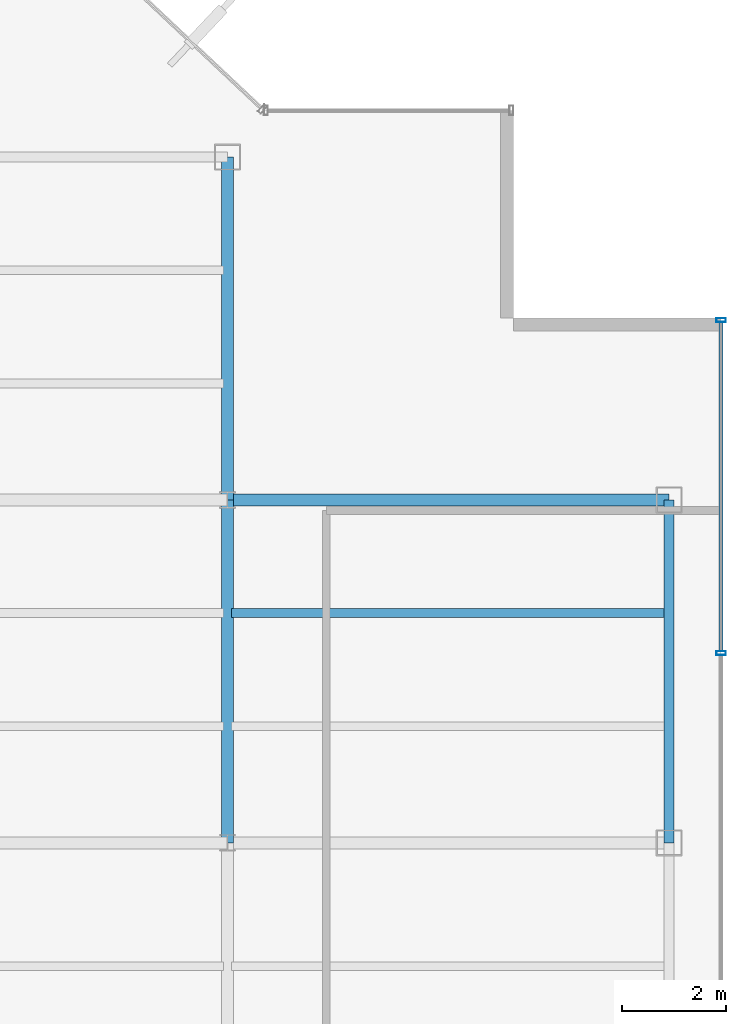
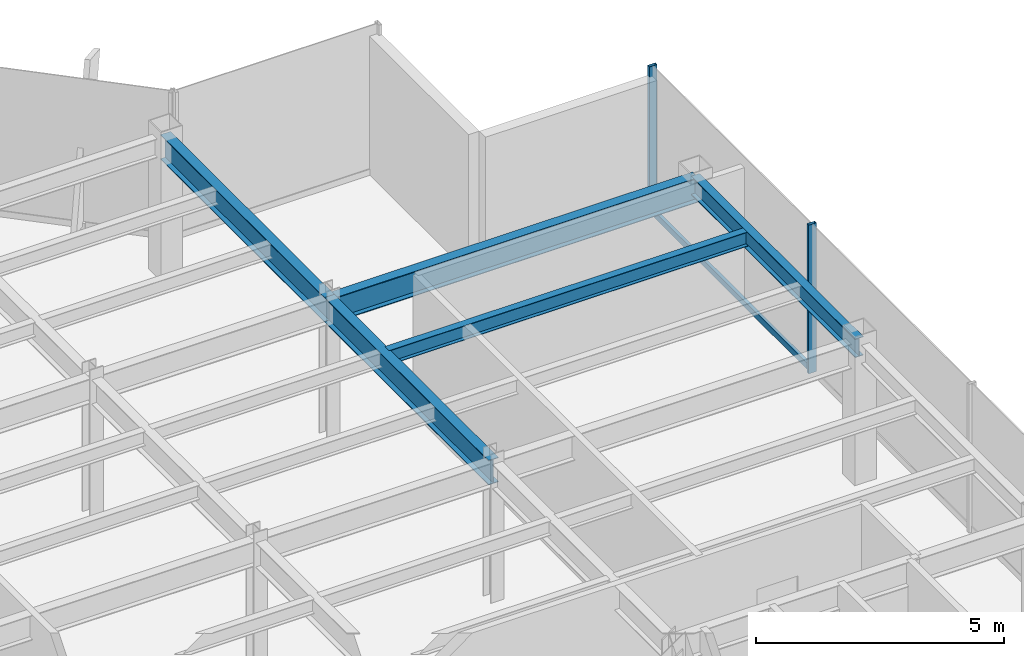
# One storey, part 11 of 22: 5 beams, 3 members, 1 element without a shape of its own.
"""IFC4 building model written with IfcOpenShell, lengths in metres."""

from ifc_helpers import new_model, si_unit, derived_unit, direction, frame, origin, origin_2d, place, context, subcontext, project, spatial, hollow_rectangle, i_section, extrude, source, transform, mapped, material, material_profile, profile_set, type_object, element, aggregate, save


model = new_model("IFC4")

# Units and contexts
model_context = context("Model", 3, precision=1e-05, world=origin(), true_north=direction((0.0, 1.0)))
body_context = subcontext(model_context, "Body", "Model", "MODEL_VIEW")
ifc_project = project(units=[si_unit("LENGTHUNIT", "METRE"), si_unit("AREAUNIT", "SQUARE_METRE"), si_unit("VOLUMEUNIT", "CUBIC_METRE"), si_unit("PLANEANGLEUNIT", "RADIAN"), si_unit("MASSUNIT", "GRAM", prefix="KILO"), derived_unit("THERMALTRANSMITTANCEUNIT", [(si_unit("POWERUNIT", "WATT"), 1), (si_unit("LENGTHUNIT", "METRE"), -2), (si_unit("THERMODYNAMICTEMPERATUREUNIT", "KELVIN"), -1)])], contexts=[model_context])

# Site, building, storey
site_placement = place(None, origin())
site = spatial("IfcSite", under=ifc_project, at=site_placement, CompositionType="ELEMENT")
building_placement = place(site_placement, origin())
building = spatial("IfcBuilding", under=site, at=building_placement, Name="Skarnbrae Concourse Arena and Tower", CompositionType="ELEMENT")
storey_placement = place(building_placement, frame((0.0, 0.0, 214.14990234375)))
storey = spatial("IfcBuildingStorey", under=building, at=storey_placement, Name="L55", CompositionType="ELEMENT", Elevation=214.14990234375)

# Beams
ifc_material_1 = material(Name="Steel CSA G40.21 350W", Category="steel")
ifc_material_profile_1 = material_profile(ifc_material_1, i_section(OverallWidth=0.22802734375, OverallDepth=0.60791015625, WebThickness=0.01123046875, FlangeThickness=0.017333984375, at=origin_2d()), Name="W610X113")
ifc_profile_set_1 = profile_set([ifc_material_profile_1], Name="Steel CSA G40.21 350W")
beam_type_1 = type_object("IfcBeamType", Name="BM-GIRD-W610X113", PredefinedType="BEAM", material=ifc_profile_set_1)
shared_shape_1 = source(origin(), body_context, "Body", "SweptSolid", [
    extrude(i_section(OverallWidth=0.22802734375, OverallDepth=0.60791015625, WebThickness=0.01123046875, FlangeThickness=0.017333984375, at=origin_2d()), origin(), (0.0, 0.0, 1.0), 6.60009765625),
])
beam_1_placement = place(storey_placement, frame((33.5, 21.199951171875, 3.09619140625), z_axis=(0.0, 1.0, 0.0), x_axis=(-1.0, 0.0, 0.0)))
element("IfcBeam", 1, at=beam_1_placement, inside=storey, type_object=beam_type_1, Name="L55 Primary N-S girder X33.5-2", PredefinedType="BEAM", context=body_context, shape_type="MappedRepresentation", body=[
    mapped(shared_shape_1, transform((0.0, 0.0, 0.0))),
])
shared_shape_2 = source(origin(), body_context, "Body", "SweptSolid", [
    extrude(i_section(OverallWidth=0.22802734375, OverallDepth=0.60791015625, WebThickness=0.01123046875, FlangeThickness=0.017333984375, at=origin_2d()), origin(), (0.0, 0.0, 1.0), 8.5),
])
beam_2_placement = place(storey_placement, frame((33.5, 27.800048828125, 3.09619140625), z_axis=(1.0, 0.0, 0.0), x_axis=(0.0, 1.0, 0.0)))
element("IfcBeam", 2, at=beam_2_placement, inside=storey, type_object=beam_type_1, Name="L55 Primary E-W girder Y27.8-6", PredefinedType="BEAM", context=body_context, shape_type="MappedRepresentation", body=[
    mapped(shared_shape_2, transform((0.0, 0.0, 0.0))),
])
ifc_material_profile_2 = material_profile(ifc_material_1, i_section(OverallWidth=0.19091796875, OverallDepth=0.4599609375, WebThickness=0.010009765625, FlangeThickness=0.01611328125, at=origin_2d()), Name="W460X82")
ifc_profile_set_2 = profile_set([ifc_material_profile_2], Name="Steel CSA G40.21 350W")
beam_type_2 = type_object("IfcBeamType", Name="BM-SPAN-W460X82", PredefinedType="SPANDREL", material=ifc_profile_set_2)
shared_shape_3 = source(origin(), body_context, "Body", "SweptSolid", [
    extrude(i_section(OverallWidth=0.19091796875, OverallDepth=0.4599609375, WebThickness=0.010009765625, FlangeThickness=0.01611328125, at=origin_2d()), origin(), (0.0, 0.0, 1.0), 6.60009765625),
])
beam_3_placement = place(storey_placement, frame((42.0, 21.199951171875, 3.170166015625), z_axis=(0.0, 1.0, 0.0), x_axis=(-1.0, 0.0, 0.0)))
element("IfcBeam", 3, at=beam_3_placement, inside=storey, type_object=beam_type_2, Name="L55 Perimeter spandrel X42.0-3", PredefinedType="SPANDREL", context=body_context, shape_type="MappedRepresentation", body=[
    mapped(shared_shape_3, transform((0.0, 0.0, 0.0))),
])
shared_shape_4 = source(origin(), body_context, "Body", "SweptSolid", [
    extrude(i_section(OverallWidth=0.22802734375, OverallDepth=0.60791015625, WebThickness=0.01123046875, FlangeThickness=0.017333984375, at=origin_2d()), origin(), (0.0, 0.0, 1.0), 6.599853515625),
])
beam_4_placement = place(storey_placement, frame((33.5, 27.800048828125, 3.09619140625), z_axis=(0.0, 1.0, 0.0), x_axis=(-1.0, 0.0, 0.0)))
element("IfcBeam", 4, at=beam_4_placement, inside=storey, type_object=beam_type_1, Name="L55 Primary N-S girder X33.5-3", PredefinedType="BEAM", context=body_context, shape_type="MappedRepresentation", body=[
    mapped(shared_shape_4, transform((0.0, 0.0, 0.0))),
])
ifc_material_profile_3 = material_profile(ifc_material_1, i_section(OverallWidth=0.1708984375, OverallDepth=0.35498046875, WebThickness=0.007080078125, FlangeThickness=0.01171875, at=origin_2d()), Name="W360X51")
ifc_profile_set_3 = profile_set([ifc_material_profile_3], Name="Steel CSA G40.21 350W")
beam_type_3 = type_object("IfcBeamType", Name="BM-JOIST-W360X51", PredefinedType="JOIST", material=ifc_profile_set_3)
shared_shape_5 = source(origin(), body_context, "Body", "SweptSolid", [
    extrude(i_section(OverallWidth=0.1708984375, OverallDepth=0.35498046875, WebThickness=0.007080078125, FlangeThickness=0.01171875, at=origin_2d()), origin(), (0.0, 0.0, 1.0), 8.33984375),
])
beam_5_placement = place(storey_placement, frame((33.580078125, 25.6220703125, 3.22265625), z_axis=(1.0, 0.0, 0.0), x_axis=(0.0, 1.0, 0.0)))
element("IfcBeam", 5, at=beam_5_placement, inside=storey, type_object=beam_type_3, Name="L55 Secondary floor joist 2.2.6", PredefinedType="JOIST", context=body_context, shape_type="MappedRepresentation", body=[
    mapped(shared_shape_5, transform((0.0, 0.0, 0.0))),
])

# Curtain wall, members
ifc_material_2 = material(Name="Bronze anodised aluminium 6063-T6", Category="aluminium")
curtain_wall_type = type_object("IfcCurtainWallType", Name="CW-SYS-05-HIGHZONE", PredefinedType="USERDEFINED", material=ifc_material_2)
curtain_wall_placement = place(storey_placement, origin())
curtain_wall = element("IfcCurtainWall", 6, at=curtain_wall_placement, inside=storey, type_object=curtain_wall_type, Name="L55 Unitised curtain wall CW-L55-E04", ObjectType="UNITISED CURTAIN WALL", PredefinedType="USERDEFINED")
ifc_material_profile_4 = material_profile(ifc_material_2, hollow_rectangle(XDim=0.074951171875, YDim=0.14990234375, WallThickness=0.00390625, at=origin_2d()), Name="ALU-TRAN-75X150")
ifc_profile_set_4 = profile_set([ifc_material_profile_4], Name="Bronze anodised aluminium 6063-T6")
member_type_1 = type_object("IfcMemberType", Name="CWT-CW-05", PredefinedType="USERDEFINED", material=ifc_profile_set_4)
shared_shape_6 = source(origin(), body_context, "Body", "SweptSolid", [
    extrude(hollow_rectangle(XDim=0.074951171875, YDim=0.14990234375, WallThickness=0.00390625, at=origin_2d()), origin(), (0.0, 0.0, 1.0), 6.337646484375),
])
member_1_placement = place(storey_placement, frame((43.0, 24.887451171875, 0.0751953125), z_axis=(0.0, 1.0, 0.0), x_axis=(-1.0, 0.0, 0.0)))
member_1 = element("IfcMember", 7, at=member_1_placement, type_object=member_type_1, Name="CW-L55-E04 Transom 4", ObjectType="TRANSOM", PredefinedType="USERDEFINED", context=body_context, shape_type="MappedRepresentation", body=[
    mapped(shared_shape_6, transform((0.0, 0.0, 0.0))),
])
ifc_material_profile_5 = material_profile(ifc_material_2, hollow_rectangle(XDim=0.074951171875, YDim=0.179931640625, WallThickness=0.00390625, at=origin_2d()), Name="ALU-MULL-75X180")
ifc_profile_set_5 = profile_set([ifc_material_profile_5], Name="Bronze anodised aluminium 6063-T6")
member_type_2 = type_object("IfcMemberType", Name="CWM-CW-05", PredefinedType="MULLION", material=ifc_profile_set_5)
shared_shape_7 = source(origin(), body_context, "Body", "SweptSolid", [
    extrude(hollow_rectangle(XDim=0.074951171875, YDim=0.179931640625, WallThickness=0.00390625, at=origin_2d()), origin(), (0.0, 0.0, 1.0), 3.650146484375),
])
member_2_placement = place(storey_placement, frame((43.0, 24.85009765625, 0.0), z_axis=(0.0, 0.0, 1.0), x_axis=(0.0, 1.0, 0.0)))
member_2 = element("IfcMember", 8, at=member_2_placement, type_object=member_type_2, Name="CW-L55-E04 Mullion 4", PredefinedType="MULLION", context=body_context, shape_type="MappedRepresentation", body=[
    mapped(shared_shape_7, transform((0.0, 0.0, 0.0))),
])
member_3_placement = place(storey_placement, frame((43.0, 31.262451171875, 0.0), z_axis=(0.0, 0.0, 1.0), x_axis=(0.0, 1.0, 0.0)))
member_3 = element("IfcMember", 9, at=member_3_placement, type_object=member_type_2, Name="CW-L55-E04 Mullion 5", PredefinedType="MULLION", context=body_context, shape_type="MappedRepresentation", body=[
    mapped(shared_shape_7, transform((0.0, 0.0, 0.0))),
])
aggregate(curtain_wall, [member_2, member_3, member_1])

save(model, "model.ifc")
